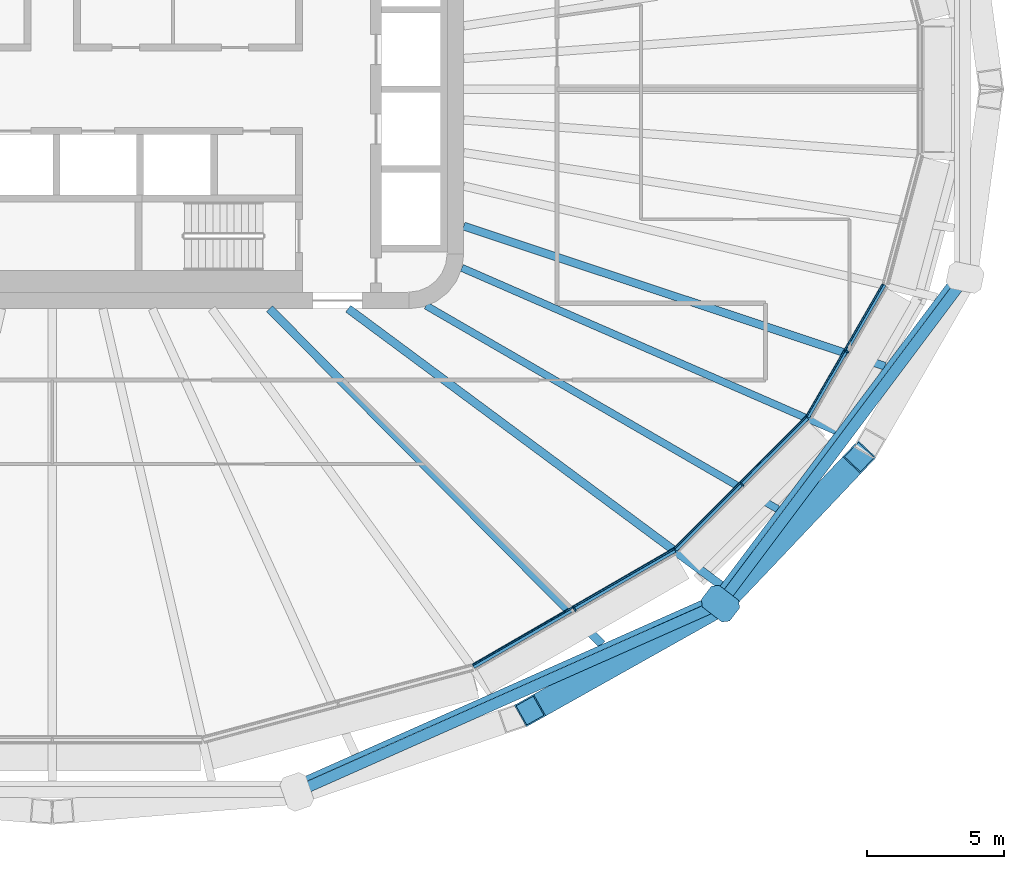
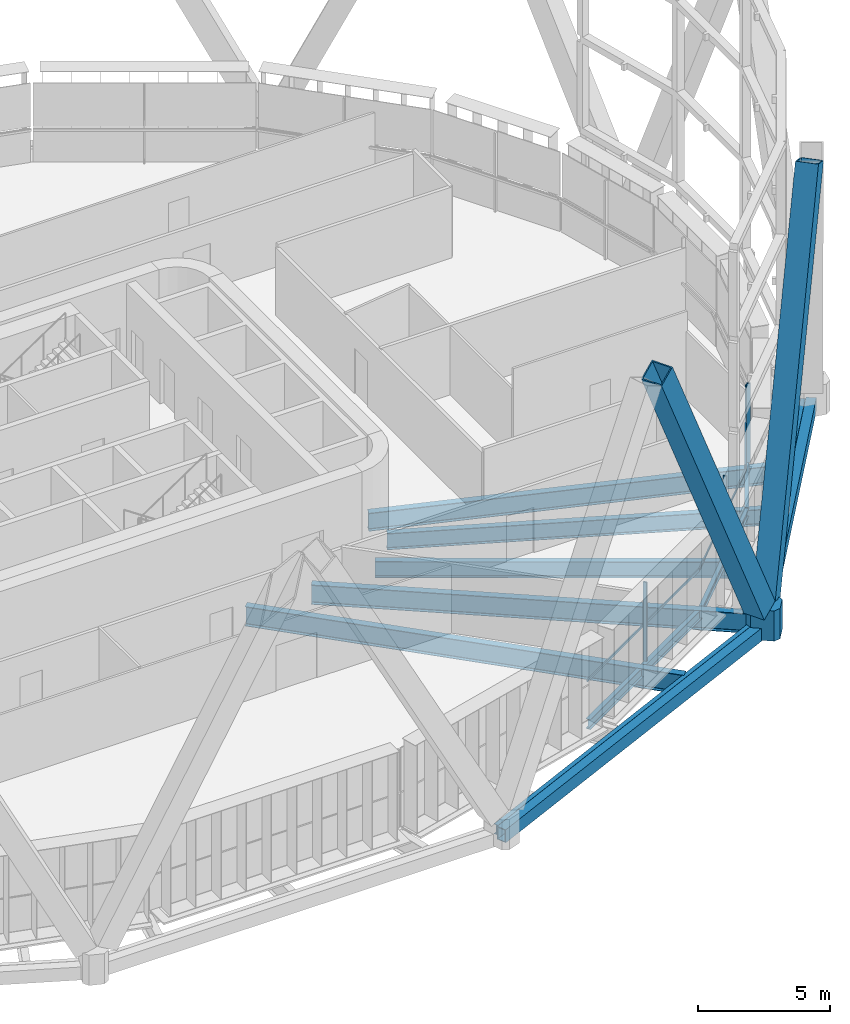
# One storey, part 5 of 26: 12 beams, 9 members, 3 elements without a shape of their own.
"""IFC4 building model written with IfcOpenShell, lengths in metres."""

from ifc_helpers import new_model, si_unit, direction, frame, origin, origin_2d, place, context, subcontext, project, spatial, polyline, rectangle, hollow_rectangle, i_section, outline, extrude, material, layer, layer_set, material_profile, profile_set, type_object, element, aggregate, save


model = new_model("IFC4")

# Units and contexts
model_context = context("Model", 3, precision=1e-05, world=origin(), true_north=direction((0.0, 1.0)))
body_context = subcontext(model_context, "Body", "Model", "MODEL_VIEW")
ifc_project = project(units=[si_unit("LENGTHUNIT", "METRE"), si_unit("AREAUNIT", "SQUARE_METRE"), si_unit("VOLUMEUNIT", "CUBIC_METRE"), si_unit("PLANEANGLEUNIT", "RADIAN"), si_unit("MASSUNIT", "GRAM", prefix="KILO")], contexts=[model_context])

# Site, building, storey
site_placement = place(None, origin())
site = spatial("IfcSite", under=ifc_project, at=site_placement, CompositionType="ELEMENT")
building_placement = place(site_placement, origin())
building = spatial("IfcBuilding", under=site, at=building_placement, Name="Sahrelin Media Tower", CompositionType="ELEMENT")
storey_placement = place(building_placement, frame((0.0, 0.0, 131.39990234375)))
storey = spatial("IfcBuildingStorey", under=building, at=storey_placement, Name="L26", CompositionType="ELEMENT", Elevation=131.39990234375)

# Members
ifc_material_1 = material(Name="Steel S460", Category="steel")
ifc_material_profile_1 = material_profile(ifc_material_1, hollow_rectangle(XDim=0.89990234375, YDim=0.89990234375, WallThickness=0.050048828125, at=origin_2d()), Name="Diagrid diagonal DG3")
ifc_profile_set_1 = profile_set([ifc_material_profile_1], Name="Steel S460")
member_type_1 = type_object("IfcMemberType", Name="Diagrid diagonal DG3", PredefinedType="BRACE", material=ifc_profile_set_1)
member_1_placement = place(storey_placement, frame((24.056640625, -18.918212890625, 0.7001953125), z_axis=(-0.386530667457, -0.217011390542, 0.896381670657), x_axis=(0.489554855543, -0.871972501524, 0.0)))
element("IfcMember", 1, at=member_1_placement, inside=storey, type_object=member_type_1, Name="Diagrid diagonal D05-20", PredefinedType="BRACE", context=body_context, shape_type="SweptSolid", body=[
    extrude(hollow_rectangle(XDim=0.89990234375, YDim=0.89990234375, WallThickness=0.050048828125, at=origin_2d()), origin(), (0.0, 0.0, 1.0), 17.18017578125),
])
member_2_placement = place(storey_placement, frame((24.57861328125, -18.516357421875, 0.7001953125), z_axis=(0.28605931744, 0.301832156171, 0.909432469404), x_axis=(-0.725816925238, 0.687887920404, 0.0)))
element("IfcMember", 2, at=member_2_placement, inside=storey, type_object=member_type_1, Name="Diagrid diagonal D05-21", PredefinedType="BRACE", context=body_context, shape_type="SweptSolid", body=[
    extrude(hollow_rectangle(XDim=0.89990234375, YDim=0.89990234375, WallThickness=0.050048828125, at=origin_2d()), origin(), (0.0, 0.0, 1.0), 16.93359375),
])
ifc_material_profile_2 = material_profile(ifc_material_1, outline(polyline([(0.449951171875, -0.5), (0.64990234375, -0.300048828125), (0.64990234375, 0.300048828125), (0.449951171875, 0.5), (-0.449951171875, 0.5), (-0.64990234375, 0.300048828125), (-0.64990234375, -0.300048828125), (-0.449951171875, -0.5), (0.449951171875, -0.5)])), Name="Diagrid node block 1300")
ifc_profile_set_2 = profile_set([ifc_material_profile_2], Name="Steel S460")
member_type_2 = type_object("IfcMemberType", Name="Diagrid node block 1300", PredefinedType="USERDEFINED", material=ifc_profile_set_2)
member_3_placement = place(storey_placement, frame((24.3583984375, -18.748779296875, -0.699951171875), z_axis=(0.0, 0.0, 1.0), x_axis=(0.792445093645, -0.609943254376, 0.0)))
element("IfcMember", 3, at=member_3_placement, inside=storey, type_object=member_type_2, Name="Diagrid node N05-10", ObjectType="NODE", PredefinedType="USERDEFINED", context=body_context, shape_type="SweptSolid", body=[
    extrude(outline(polyline([(0.449951171875, -0.5), (0.64990234375, -0.300048828125), (0.64990234375, 0.300048828125), (0.449951171875, 0.5), (-0.449951171875, 0.5), (-0.64990234375, 0.300048828125), (-0.64990234375, -0.300048828125), (-0.449951171875, -0.5), (0.449951171875, -0.5)])), origin(), (0.0, 0.0, 1.0), 1.400146484375),
])

# Beams
ifc_material_profile_3 = material_profile(ifc_material_1, hollow_rectangle(XDim=0.39990234375, YDim=0.60009765625, WallThickness=0.030029296875, at=origin_2d()), Name="Diagrid ring beam RB1")
ifc_profile_set_3 = profile_set([ifc_material_profile_3], Name="Steel S460")
beam_type_1 = type_object("IfcBeamType", Name="Diagrid ring beam RB1", PredefinedType="BEAM", material=ifc_profile_set_3)
beam_1_placement = place(storey_placement, frame((8.915771484375, -25.611083984375, -0.449951171875), z_axis=(0.913835377653, 0.406084846491, 0.0), x_axis=(-0.406084846491, 0.913835377653, 0.0)))
element("IfcBeam", 4, at=beam_1_placement, inside=storey, type_object=beam_type_1, Name="Diagrid ring beam RB05-09", PredefinedType="BEAM", context=body_context, shape_type="SweptSolid", body=[
    extrude(hollow_rectangle(XDim=0.39990234375, YDim=0.60009765625, WallThickness=0.030029296875, at=origin_2d()), origin(), (0.0, 0.0, 1.0), 16.898681640625),
])
beam_2_placement = place(storey_placement, frame((24.3583984375, -18.748779296875, -0.449951171875), z_axis=(0.600057835332, 0.799956620234, 0.0), x_axis=(-0.799956620234, 0.600057835332, 0.0)))
element("IfcBeam", 5, at=beam_2_placement, inside=storey, type_object=beam_type_1, Name="Diagrid ring beam RB05-10", PredefinedType="BEAM", context=body_context, shape_type="SweptSolid", body=[
    extrude(hollow_rectangle(XDim=0.39990234375, YDim=0.60009765625, WallThickness=0.030029296875, at=origin_2d()), origin(), (0.0, 0.0, 1.0), 14.858642578125),
])
ifc_material_2 = material(Name="Steel S355", Category="steel")
ifc_material_profile_4 = material_profile(ifc_material_2, i_section(OverallWidth=0.1650390625, OverallDepth=0.303466796875, WebThickness=0.006103515625, FlangeThickness=0.01025390625, FilletRadius=0.0087890625, at=origin_2d()), Name="UB 305x165x40")
ifc_profile_set_4 = profile_set([ifc_material_profile_4], Name="Steel S355")
beam_type_2 = type_object("IfcBeamType", Name="Edge beam EB2", PredefinedType="BEAM", material=ifc_profile_set_4)
beam_3_placement = place(storey_placement, frame((30.318115234375, -7.118896484375, -0.301513671875), z_axis=(-0.500014261081, -0.866017169989, 0.0), x_axis=(0.866017169989, -0.500014261081, 0.0)))
element("IfcBeam", 6, at=beam_3_placement, inside=storey, type_object=beam_type_2, Name="Edge beam L26-03", PredefinedType="BEAM", context=body_context, shape_type="SweptSolid", body=[
    extrude(i_section(OverallWidth=0.1650390625, OverallDepth=0.303466796875, WebThickness=0.006103515625, FlangeThickness=0.01025390625, FilletRadius=0.0087890625, at=origin_2d()), origin(), (0.0, 0.0, 1.0), 5.576416015625),
])
ifc_material_profile_5 = material_profile(ifc_material_2, i_section(OverallWidth=0.17138671875, OverallDepth=0.35498046875, WebThickness=0.00732421875, FlangeThickness=0.011474609375, FilletRadius=0.01025390625, at=origin_2d()), Name="UB 356x171x51")
ifc_profile_set_5 = profile_set([ifc_material_profile_5], Name="Steel S355")
beam_type_3 = type_object("IfcBeamType", Name="Edge beam EB3", PredefinedType="BEAM", material=ifc_profile_set_5)
beam_4_placement = place(storey_placement, frame((27.51220703125, -11.97119140625, -0.327392578125), z_axis=(-0.707106781187, -0.707106781187, 0.0), x_axis=(0.707106781187, -0.707106781187, 0.0)))
element("IfcBeam", 7, at=beam_4_placement, inside=storey, type_object=beam_type_3, Name="Edge beam L26-04", PredefinedType="BEAM", context=body_context, shape_type="SweptSolid", body=[
    extrude(i_section(OverallWidth=0.17138671875, OverallDepth=0.35498046875, WebThickness=0.00732421875, FlangeThickness=0.011474609375, FilletRadius=0.01025390625, at=origin_2d()), origin(), (0.0, 0.0, 1.0), 6.789794921875),
])
ifc_material_profile_6 = material_profile(ifc_material_2, i_section(OverallWidth=0.1904296875, OverallDepth=0.45703125, WebThickness=0.009033203125, FlangeThickness=0.014404296875, FilletRadius=0.01025390625, at=origin_2d()), Name="UB 457x191x74")
ifc_profile_set_6 = profile_set([ifc_material_profile_6], Name="Steel S355")
beam_type_4 = type_object("IfcBeamType", Name="Edge beam EB5", PredefinedType="BEAM", material=ifc_profile_set_6)
beam_5_placement = place(storey_placement, frame((22.6884765625, -16.789794921875, -0.37841796875), z_axis=(-0.866017756825, -0.500013244689, 0.0), x_axis=(0.500013244689, -0.866017756825, 0.0)))
element("IfcBeam", 8, at=beam_5_placement, inside=storey, type_object=beam_type_4, Name="Edge beam L26-05", PredefinedType="BEAM", context=body_context, shape_type="SweptSolid", body=[
    extrude(i_section(OverallWidth=0.1904296875, OverallDepth=0.45703125, WebThickness=0.009033203125, FlangeThickness=0.014404296875, FilletRadius=0.01025390625, at=origin_2d()), origin(), (0.0, 0.0, 1.0), 8.478759765625),
])

# Curtain wall, member
ifc_material_3 = material(Name="Champagne anodised aluminium 6063-T6", Category="aluminium")
ifc_layer = layer(ifc_material_3, 0.14990234375)
ifc_layer_set = layer_set([ifc_layer], Name="Tower ribbon curtain wall")
curtain_wall_type = type_object("IfcCurtainWallType", Name="Tower ribbon curtain wall", PredefinedType="NOTDEFINED", material=ifc_layer_set)
curtain_wall_1_placement = place(storey_placement, frame((19.092041015625, -19.039306640625, 0.0), z_axis=(0.0, 0.0, 1.0), x_axis=(1.0, 0.0, 0.0)))
curtain_wall_1 = element("IfcCurtainWall", 9, at=curtain_wall_1_placement, inside=storey, type_object=curtain_wall_type, Name="L26:CW:L26-20", PredefinedType="NOTDEFINED")
ifc_material_profile_7 = material_profile(ifc_material_3, rectangle(XDim=0.06005859375, YDim=0.14990234375, at=origin_2d()), Name="Mullion 60x150")
ifc_profile_set_7 = profile_set([ifc_material_profile_7], Name="Champagne anodised aluminium 6063-T6")
member_type_3 = type_object("IfcMemberType", Name="Mullion 60x150 CW1", PredefinedType="MULLION", material=ifc_profile_set_7)
member_4_placement = place(storey_placement, frame((19.04443359375, -18.95703125, 0.0), z_axis=(0.0, 0.0, 1.0), x_axis=(0.866028894422, 0.49999395399, 0.0)))
member_4 = element("IfcMember", 10, at=member_4_placement, type_object=member_type_3, Name="L26:CWM:L26-20", PredefinedType="MULLION", context=body_context, shape_type="SweptSolid", body=[
    extrude(rectangle(XDim=0.06005859375, YDim=0.14990234375, at=origin_2d()), origin(), (0.0, 0.0, 1.0), 3.648681640625),
])

curtain_wall_2_placement = place(storey_placement, frame((25.218017578125, -14.477783203125, 0.0), z_axis=(0.0, 0.0, 1.0), x_axis=(1.0, 0.0, 0.0)))
curtain_wall_2 = element("IfcCurtainWall", 11, at=curtain_wall_2_placement, inside=storey, type_object=curtain_wall_type, Name="L26:CW:L26-21", PredefinedType="NOTDEFINED")
member_5_placement = place(storey_placement, frame((25.150634765625, -14.41064453125, 0.0), z_axis=(0.0, 0.0, 1.0), x_axis=(0.707099376343, 0.707114185953, 0.0)))
member_5 = element("IfcMember", 12, at=member_5_placement, type_object=member_type_3, Name="L26:CWM:L26-21", PredefinedType="MULLION", context=body_context, shape_type="SweptSolid", body=[
    extrude(rectangle(XDim=0.06005859375, YDim=0.14990234375, at=origin_2d()), origin(), (0.0, 0.0, 1.0), 3.648681640625),
])

curtain_wall_3_placement = place(storey_placement, frame((29.053955078125, -9.608642578125, 0.0), z_axis=(0.0, 0.0, 1.0), x_axis=(1.0, 0.0, 0.0)))
curtain_wall_3 = element("IfcCurtainWall", 13, at=curtain_wall_3_placement, inside=storey, type_object=curtain_wall_type, Name="L26:CW:L26-22", PredefinedType="NOTDEFINED")
member_6_placement = place(storey_placement, frame((28.9716796875, -9.56103515625, 0.0), z_axis=(0.0, 0.0, 1.0), x_axis=(0.500006045986, 0.866021913105, 0.0)))
member_6 = element("IfcMember", 14, at=member_6_placement, type_object=member_type_3, Name="L26:CWM:L26-22", PredefinedType="MULLION", context=body_context, shape_type="SweptSolid", body=[
    extrude(rectangle(XDim=0.06005859375, YDim=0.14990234375, at=origin_2d()), origin(), (0.0, 0.0, 1.0), 3.648681640625),
])

# Beams
ifc_material_profile_8 = material_profile(ifc_material_2, i_section(OverallWidth=0.30322265625, OverallDepth=0.903076171875, WebThickness=0.01513671875, FlangeThickness=0.020263671875, FilletRadius=0.01904296875, at=origin_2d()), Name="UB 914x305x201")
ifc_profile_set_8 = profile_set([ifc_material_profile_8], Name="Steel S355")
beam_type_5 = type_object("IfcBeamType", Name="Radial primary beam PB11", PredefinedType="BEAM", material=ifc_profile_set_8)
beam_6_placement = place(storey_placement, frame((10.7880859375, -8.0, -0.601318359375), z_axis=(0.803231499459, -0.595666986056, 0.0), x_axis=(0.595666986056, 0.803231499459, 0.0)))
element("IfcBeam", 15, at=beam_6_placement, inside=storey, type_object=beam_type_5, Name="Radial beam L26-21", PredefinedType="BEAM", context=body_context, shape_type="SweptSolid", body=[
    extrude(i_section(OverallWidth=0.30322265625, OverallDepth=0.903076171875, WebThickness=0.01513671875, FlangeThickness=0.020263671875, FilletRadius=0.01904296875, at=origin_2d()), origin(), (0.0, 0.0, 1.0), 16.910400390625),
])
ifc_material_profile_9 = material_profile(ifc_material_2, i_section(OverallWidth=0.26513671875, OverallDepth=0.75390625, WebThickness=0.0126953125, FlangeThickness=0.017578125, FilletRadius=0.0166015625, at=origin_2d()), Name="UB 762x267x147")
ifc_profile_set_9 = profile_set([ifc_material_profile_9], Name="Steel S355")
beam_type_6 = type_object("IfcBeamType", Name="Radial primary beam PB9", PredefinedType="BEAM", material=ifc_profile_set_9)
beam_7_placement = place(storey_placement, frame((14.932861328125, -6.510986328125, -0.52685546875), z_axis=(0.916643283171, -0.399706256414, 0.0), x_axis=(0.399706256414, 0.916643283171, 0.0)))
element("IfcBeam", 16, at=beam_7_placement, inside=storey, type_object=beam_type_6, Name="Radial beam L26-22", PredefinedType="BEAM", context=body_context, shape_type="SweptSolid", body=[
    extrude(i_section(OverallWidth=0.26513671875, OverallDepth=0.75390625, WebThickness=0.0126953125, FlangeThickness=0.017578125, FilletRadius=0.0166015625, at=origin_2d()), origin(), (0.0, 0.0, 1.0), 14.88818359375),
])
ifc_material_profile_10 = material_profile(ifc_material_2, i_section(OverallWidth=0.291748046875, OverallDepth=0.8349609375, WebThickness=0.013916015625, FlangeThickness=0.018798828125, FilletRadius=0.017822265625, at=origin_2d()), Name="UB 838x292x176")
ifc_profile_set_10 = profile_set([ifc_material_profile_10], Name="Steel S355")
beam_type_7 = type_object("IfcBeamType", Name="Radial secondary beam SB10", PredefinedType="BEAM", material=ifc_profile_set_10)
beam_8_placement = place(storey_placement, frame((15.0, -4.98876953125, -0.5673828125), z_axis=(0.948898825234, -0.315580448491, 0.0), x_axis=(0.315580448491, 0.948898825234, 0.0)))
element("IfcBeam", 17, at=beam_8_placement, inside=storey, type_object=beam_type_7, Name="Secondary beam L26-22", PredefinedType="BEAM", context=body_context, shape_type="SweptSolid", body=[
    extrude(i_section(OverallWidth=0.291748046875, OverallDepth=0.8349609375, WebThickness=0.013916015625, FlangeThickness=0.018798828125, FilletRadius=0.017822265625, at=origin_2d()), origin(), (0.0, 0.0, 1.0), 16.181884765625),
])
ifc_material_profile_11 = material_profile(ifc_material_2, i_section(OverallWidth=0.30322265625, OverallDepth=0.903076171875, WebThickness=0.01513671875, FlangeThickness=0.020263671875, FilletRadius=0.01904296875, at=origin_2d()), Name="UB 914x305x201")
ifc_profile_set_11 = profile_set([ifc_material_profile_11], Name="Steel S355")
beam_type_8 = type_object("IfcBeamType", Name="Radial secondary beam SB11", PredefinedType="BEAM", material=ifc_profile_set_11)
beam_9_placement = place(storey_placement, frame((7.923583984375, -8.0, -0.601318359375), z_axis=(0.70370303488, -0.71049422144, 0.0), x_axis=(0.71049422144, 0.70370303488, 0.0)))
element("IfcBeam", 18, at=beam_9_placement, inside=storey, type_object=beam_type_8, Name="Secondary beam L26-20", PredefinedType="BEAM", context=body_context, shape_type="SweptSolid", body=[
    extrude(i_section(OverallWidth=0.30322265625, OverallDepth=0.903076171875, WebThickness=0.01513671875, FlangeThickness=0.020263671875, FilletRadius=0.01904296875, at=origin_2d()), origin(), (0.0, 0.0, 1.0), 17.219970703125),
])
ifc_material_profile_12 = material_profile(ifc_material_2, i_section(OverallWidth=0.26513671875, OverallDepth=0.75390625, WebThickness=0.0126953125, FlangeThickness=0.017578125, FilletRadius=0.0166015625, at=origin_2d()), Name="UB 762x267x147")
ifc_profile_set_12 = profile_set([ifc_material_profile_12], Name="Steel S355")
beam_type_9 = type_object("IfcBeamType", Name="Radial secondary beam SB9", PredefinedType="BEAM", material=ifc_profile_set_12)
beam_10_placement = place(storey_placement, frame((13.627197265625, -7.886474609375, -0.52685546875), z_axis=(0.865515798986, -0.500881624444, 0.0), x_axis=(0.500881624444, 0.865515798986, 0.0)))
element("IfcBeam", 19, at=beam_10_placement, inside=storey, type_object=beam_type_9, Name="Secondary beam L26-21", PredefinedType="BEAM", context=body_context, shape_type="SweptSolid", body=[
    extrude(i_section(OverallWidth=0.26513671875, OverallDepth=0.75390625, WebThickness=0.0126953125, FlangeThickness=0.017578125, FilletRadius=0.0166015625, at=origin_2d()), origin(), (0.0, 0.0, 1.0), 14.811767578125),
])
ifc_material_profile_13 = material_profile(ifc_material_2, i_section(OverallWidth=0.1904296875, OverallDepth=0.45703125, WebThickness=0.009033203125, FlangeThickness=0.014404296875, FilletRadius=0.01025390625, at=origin_2d()), Name="UB 457x191x74")
ifc_profile_set_13 = profile_set([ifc_material_profile_13], Name="Steel S355")
beam_type_10 = type_object("IfcBeamType", Name="Tie chord TC5", PredefinedType="BEAM", material=ifc_profile_set_13)
beam_11_placement = place(storey_placement, frame((32.97412109375, -6.762451171875, -0.37841796875), z_axis=(-0.60004789499, -0.799964076517, 0.0), x_axis=(0.799964076517, -0.60004789499, 0.0)))
element("IfcBeam", 20, at=beam_11_placement, inside=storey, type_object=beam_type_10, Name="Tie chord L26-02", PredefinedType="BEAM", context=body_context, shape_type="SweptSolid", body=[
    extrude(i_section(OverallWidth=0.1904296875, OverallDepth=0.45703125, WebThickness=0.009033203125, FlangeThickness=0.014404296875, FilletRadius=0.01025390625, at=origin_2d()), origin(), (0.0, 0.0, 1.0), 14.68017578125),
])
beam_12_placement = place(storey_placement, frame((24.165283203125, -18.506103515625, -0.37841796875), z_axis=(-0.913832575306, -0.406091152711, 0.0), x_axis=(0.406091152711, -0.913832575306, 0.0)))
element("IfcBeam", 21, at=beam_12_placement, inside=storey, type_object=beam_type_10, Name="Tie chord L26-03", PredefinedType="BEAM", context=body_context, shape_type="SweptSolid", body=[
    extrude(i_section(OverallWidth=0.1904296875, OverallDepth=0.45703125, WebThickness=0.009033203125, FlangeThickness=0.014404296875, FilletRadius=0.01025390625, at=origin_2d()), origin(), (0.0, 0.0, 1.0), 16.757080078125),
])

# Member
ifc_material_profile_14 = material_profile(ifc_material_3, rectangle(XDim=0.050048828125, YDim=0.10009765625, at=origin_2d()), Name="Transom 50x100")
ifc_profile_set_14 = profile_set([ifc_material_profile_14], Name="Champagne anodised aluminium 6063-T6")
member_type_4 = type_object("IfcMemberType", Name="Transom 50x100 CW1", PredefinedType="USERDEFINED", material=ifc_profile_set_14)
member_7_placement = place(storey_placement, frame((15.336669921875, -20.982421875, 1.60009765625), z_axis=(0.866029168372, 0.499993479487, 0.0), x_axis=(-0.499993479487, 0.866029168372, 0.0)))
member_7 = element("IfcMember", 22, at=member_7_placement, type_object=member_type_4, Name="L26:CWT:L26-20", ObjectType="TRANSOM", PredefinedType="USERDEFINED", context=body_context, shape_type="SweptSolid", body=[
    extrude(rectangle(XDim=0.050048828125, YDim=0.10009765625, at=origin_2d()), origin(), (0.0, 0.0, 1.0), 8.447265625),
])

aggregate(curtain_wall_1, [member_4, member_7])

member_8_placement = place(storey_placement, frame((22.690673828125, -16.7294921875, 1.60009765625), z_axis=(0.707088719019, 0.707124842893, 0.0), x_axis=(-0.707124842893, 0.707088719019, 0.0)))
member_8 = element("IfcMember", 23, at=member_8_placement, type_object=member_type_4, Name="L26:CWT:L26-21", ObjectType="TRANSOM", PredefinedType="USERDEFINED", context=body_context, shape_type="SweptSolid", body=[
    extrude(rectangle(XDim=0.050048828125, YDim=0.10009765625, at=origin_2d()), origin(), (0.0, 0.0, 1.0), 6.758544921875),
])

aggregate(curtain_wall_2, [member_5, member_8])

member_9_placement = place(storey_placement, frame((27.498779296875, -11.912109375, 1.60009765625), z_axis=(0.500003221507, 0.866023543838, 0.0), x_axis=(-0.866023543838, 0.500003221507, 0.0)))
member_9 = element("IfcMember", 24, at=member_9_placement, type_object=member_type_4, Name="L26:CWT:L26-22", ObjectType="TRANSOM", PredefinedType="USERDEFINED", context=body_context, shape_type="SweptSolid", body=[
    extrude(rectangle(XDim=0.050048828125, YDim=0.10009765625, at=origin_2d()), origin(), (0.0, 0.0, 1.0), 5.544921875),
])

aggregate(curtain_wall_3, [member_6, member_9])

save(model, "model.ifc")
